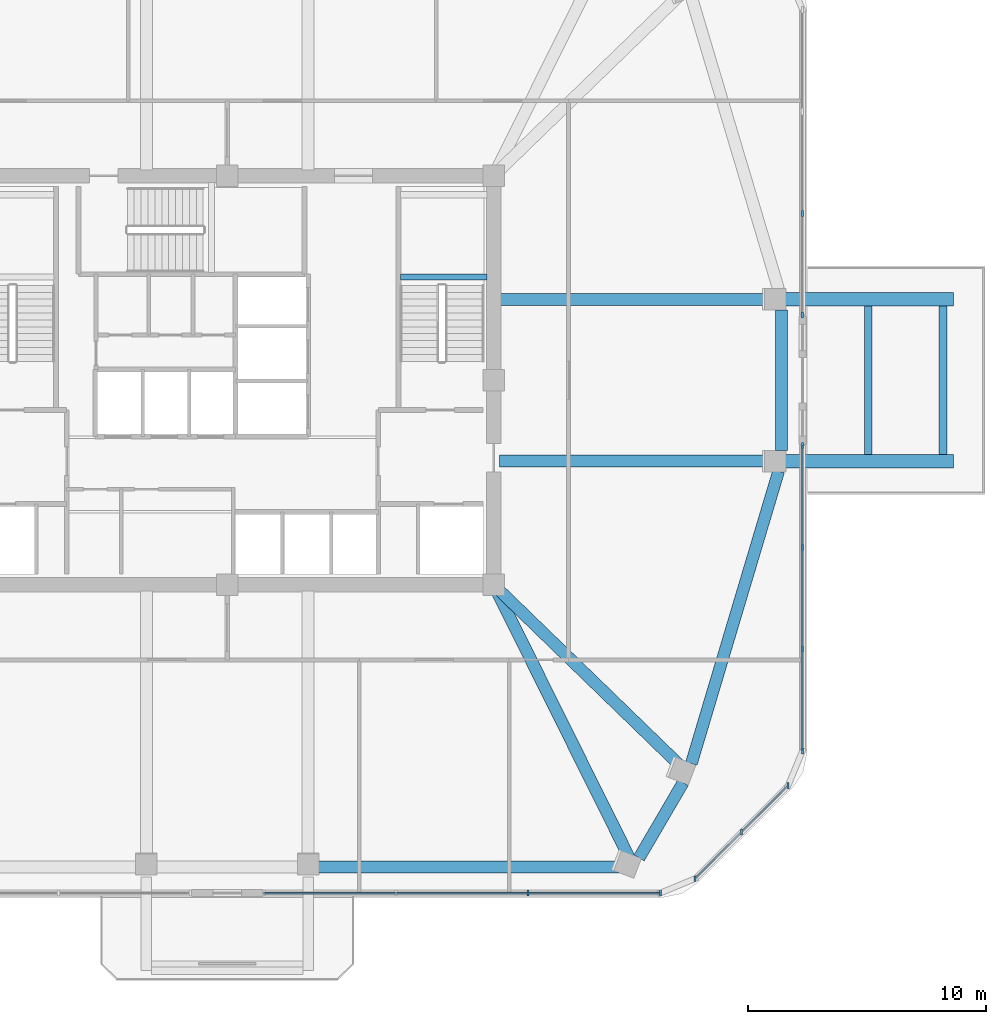
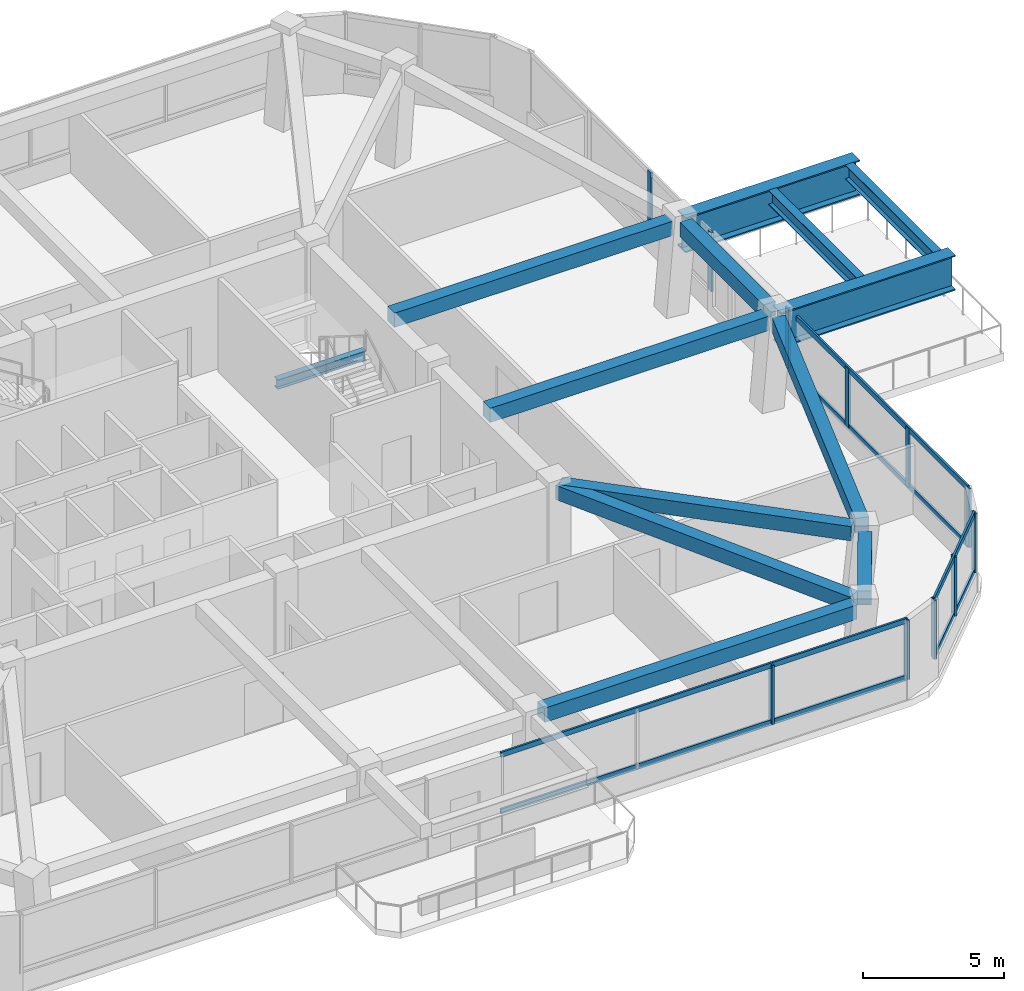
# One storey, part 3 of 13: 17 members, 13 beams, 4 elements without a shape of their own.
"""IFC4 building model written with IfcOpenShell, lengths in metres."""

from ifc_helpers import new_model, si_unit, derived_unit, direction, frame, origin, origin_2d, place, context, subcontext, project, spatial, rectangle, i_section, extrude, material, material_profile, profile_set, type_object, element, aggregate, save


model = new_model("IFC4")

# Units and contexts
model_context = context("Model", 3, precision=1e-05, world=origin(), true_north=direction((0.0, 1.0)))
body_context = subcontext(model_context, "Body", "Model", "MODEL_VIEW")
ifc_project = project(units=[si_unit("LENGTHUNIT", "METRE"), si_unit("AREAUNIT", "SQUARE_METRE"), si_unit("VOLUMEUNIT", "CUBIC_METRE"), si_unit("PLANEANGLEUNIT", "RADIAN"), si_unit("MASSUNIT", "GRAM", prefix="KILO"), derived_unit("THERMALTRANSMITTANCEUNIT", [(si_unit("POWERUNIT", "WATT"), 1), (si_unit("LENGTHUNIT", "METRE"), -2), (si_unit("THERMODYNAMICTEMPERATUREUNIT", "KELVIN"), -1)])], contexts=[model_context])

# Site, building, storey
site_placement = place(None, origin())
site = spatial("IfcSite", under=ifc_project, at=site_placement, CompositionType="ELEMENT")
building_placement = place(site_placement, origin())
building = spatial("IfcBuilding", under=site, at=building_placement, Name="Koralith Skygarden Medical Center", CompositionType="ELEMENT")
storey_placement = place(building_placement, frame((0.0, 0.0, 188.4599609375)))
storey = spatial("IfcBuildingStorey", under=building, at=storey_placement, Name="L48", CompositionType="ELEMENT", Elevation=188.4599609375)

# Curtain wall, members
ifc_material_1 = material(Name="Clear Laminated Glass", Category="glass")
curtain_wall_type = type_object("IfcCurtainWallType", Name="CW-7 Sky-Garden & Pool Conservatory Wall", PredefinedType="NOTDEFINED", material=ifc_material_1)
curtain_wall_1_placement = place(storey_placement, origin())
curtain_wall_1 = element("IfcCurtainWall", 1, at=curtain_wall_1_placement, inside=storey, type_object=curtain_wall_type, Name="Curtain Wall CW-L48-S-R", PredefinedType="NOTDEFINED")
ifc_material_2 = material(Name="Aluminium 6063-T6", Category="aluminium")
ifc_material_profile_1 = material_profile(ifc_material_2, rectangle(XDim=0.0859375, YDim=0.25, at=origin_2d()), Name="MUL86X250")
ifc_profile_set_1 = profile_set([ifc_material_profile_1], Name="Aluminium 6063-T6")
member_type_1 = type_object("IfcMemberType", Name="CW-7 Extruded Mullion 86x250", PredefinedType="MULLION", material=ifc_profile_set_1)
member_1_placement = place(storey_placement, frame((49.64990234375, 4.344970703125, 0.85009765625), z_axis=(0.0, 0.0, 1.0), x_axis=(1.0, 0.0, 0.0)))
member_1 = element("IfcMember", 2, at=member_1_placement, type_object=member_type_1, Name="CW-L48-S-R Mullion 3", PredefinedType="MULLION", context=body_context, shape_type="SweptSolid", body=[
    extrude(rectangle(XDim=0.0859375, YDim=0.25, at=origin_2d()), origin(), (0.0, 0.0, 1.0), 2.56005859375),
])
member_2_placement = place(storey_placement, frame((55.205078125, 4.344970703125, 0.85009765625), z_axis=(0.0, 0.0, 1.0), x_axis=(1.0, 0.0, 0.0)))
member_2 = element("IfcMember", 3, at=member_2_placement, type_object=member_type_1, Name="CW-L48-S-R Mullion 4", PredefinedType="MULLION", context=body_context, shape_type="SweptSolid", body=[
    extrude(rectangle(XDim=0.0859375, YDim=0.25, at=origin_2d()), origin(), (0.0, 0.0, 1.0), 2.56005859375),
])

curtain_wall_2_placement = place(storey_placement, origin())
curtain_wall_2 = element("IfcCurtainWall", 4, at=curtain_wall_2_placement, inside=storey, type_object=curtain_wall_type, Name="Curtain Wall CW-L48-SE", PredefinedType="NOTDEFINED")
member_3_placement = place(storey_placement, frame((56.656005859375, 4.946044921875, 0.85009765625), z_axis=(0.0, 0.0, 1.0), x_axis=(1.0, 0.0, 0.0)))
member_3 = element("IfcMember", 5, at=member_3_placement, type_object=member_type_1, Name="CW-L48-SE Mullion 1", PredefinedType="MULLION", context=body_context, shape_type="SweptSolid", body=[
    extrude(rectangle(XDim=0.0859375, YDim=0.25, at=origin_2d()), origin(), (0.0, 0.0, 1.0), 2.56005859375),
])
member_4_placement = place(storey_placement, frame((58.616943359375, 6.906982421875, 0.85009765625), z_axis=(0.0, 0.0, 1.0), x_axis=(1.0, 0.0, 0.0)))
member_4 = element("IfcMember", 6, at=member_4_placement, type_object=member_type_1, Name="CW-L48-SE Mullion 2", PredefinedType="MULLION", context=body_context, shape_type="SweptSolid", body=[
    extrude(rectangle(XDim=0.0859375, YDim=0.25, at=origin_2d()), origin(), (0.0, 0.0, 1.0), 2.56005859375),
])
member_5_placement = place(storey_placement, frame((60.5791015625, 8.868896484375, 0.85009765625), z_axis=(0.0, 0.0, 1.0), x_axis=(1.0, 0.0, 0.0)))
member_5 = element("IfcMember", 7, at=member_5_placement, type_object=member_type_1, Name="CW-L48-SE Mullion 3", PredefinedType="MULLION", context=body_context, shape_type="SweptSolid", body=[
    extrude(rectangle(XDim=0.0859375, YDim=0.25, at=origin_2d()), origin(), (0.0, 0.0, 1.0), 2.56005859375),
])

curtain_wall_3_placement = place(storey_placement, origin())
curtain_wall_3 = element("IfcCurtainWall", 8, at=curtain_wall_3_placement, inside=storey, type_object=curtain_wall_type, Name="Curtain Wall CW-L48-E-L", PredefinedType="NOTDEFINED")
member_6_placement = place(storey_placement, frame((61.179931640625, 10.320068359375, 0.85009765625), z_axis=(0.0, 0.0, 1.0), x_axis=(1.0, 0.0, 0.0)))
member_6 = element("IfcMember", 9, at=member_6_placement, type_object=member_type_1, Name="CW-L48-E-L Mullion 1", PredefinedType="MULLION", context=body_context, shape_type="SweptSolid", body=[
    extrude(rectangle(XDim=0.0859375, YDim=0.25, at=origin_2d()), origin(), (0.0, 0.0, 1.0), 2.56005859375),
])
member_7_placement = place(storey_placement, frame((61.179931640625, 14.60009765625, 0.85009765625), z_axis=(0.0, 0.0, 1.0), x_axis=(1.0, 0.0, 0.0)))
member_7 = element("IfcMember", 10, at=member_7_placement, type_object=member_type_1, Name="CW-L48-E-L Mullion 2", PredefinedType="MULLION", context=body_context, shape_type="SweptSolid", body=[
    extrude(rectangle(XDim=0.0859375, YDim=0.25, at=origin_2d()), origin(), (0.0, 0.0, 1.0), 2.56005859375),
])
member_8_placement = place(storey_placement, frame((61.179931640625, 18.8798828125, 0.85009765625), z_axis=(0.0, 0.0, 1.0), x_axis=(1.0, 0.0, 0.0)))
member_8 = element("IfcMember", 11, at=member_8_placement, type_object=member_type_1, Name="CW-L48-E-L Mullion 3", PredefinedType="MULLION", context=body_context, shape_type="SweptSolid", body=[
    extrude(rectangle(XDim=0.0859375, YDim=0.25, at=origin_2d()), origin(), (0.0, 0.0, 1.0), 2.56005859375),
])
member_9_placement = place(storey_placement, frame((61.179931640625, 23.159912109375, 0.85009765625), z_axis=(0.0, 0.0, 1.0), x_axis=(1.0, 0.0, 0.0)))
member_9 = element("IfcMember", 12, at=member_9_placement, type_object=member_type_1, Name="CW-L48-E-L Mullion 4", PredefinedType="MULLION", context=body_context, shape_type="SweptSolid", body=[
    extrude(rectangle(XDim=0.0859375, YDim=0.25, at=origin_2d()), origin(), (0.0, 0.0, 1.0), 2.56005859375),
])

curtain_wall_4_placement = place(storey_placement, origin())
curtain_wall_4 = element("IfcCurtainWall", 13, at=curtain_wall_4_placement, inside=storey, type_object=curtain_wall_type, Name="Curtain Wall CW-L48-E-R", PredefinedType="NOTDEFINED")
member_10_placement = place(storey_placement, frame((61.179931640625, 28.639892578125, 0.85009765625), z_axis=(0.0, 0.0, 1.0), x_axis=(1.0, 0.0, 0.0)))
member_10 = element("IfcMember", 14, at=member_10_placement, type_object=member_type_1, Name="CW-L48-E-R Mullion 1", PredefinedType="MULLION", context=body_context, shape_type="SweptSolid", body=[
    extrude(rectangle(XDim=0.0859375, YDim=0.25, at=origin_2d()), origin(), (0.0, 0.0, 1.0), 2.56005859375),
])
member_11_placement = place(storey_placement, frame((61.179931640625, 32.919921875, 0.85009765625), z_axis=(0.0, 0.0, 1.0), x_axis=(1.0, 0.0, 0.0)))
member_11 = element("IfcMember", 15, at=member_11_placement, type_object=member_type_1, Name="CW-L48-E-R Mullion 2", PredefinedType="MULLION", context=body_context, shape_type="SweptSolid", body=[
    extrude(rectangle(XDim=0.0859375, YDim=0.25, at=origin_2d()), origin(), (0.0, 0.0, 1.0), 2.56005859375),
])
aggregate(curtain_wall_4, [member_10, member_11])

# Member
ifc_material_profile_2 = material_profile(ifc_material_2, rectangle(XDim=0.0810546875, YDim=0.22509765625, at=origin_2d()), Name="TRN81X225")
ifc_profile_set_2 = profile_set([ifc_material_profile_2], Name="Aluminium 6063-T6")
member_type_2 = type_object("IfcMemberType", Name="CW-7 Thermal Transom 81x225", PredefinedType="USERDEFINED", material=ifc_profile_set_2)
member_12_placement = place(storey_placement, frame((38.5400390625, 4.344970703125, 0.900146484375), z_axis=(1.0, 0.0, 0.0), x_axis=(0.0, 1.0, 0.0)))
member_12 = element("IfcMember", 16, at=member_12_placement, type_object=member_type_2, Name="CW-L48-S-R Transom 1", ObjectType="TRANSOM", PredefinedType="USERDEFINED", context=body_context, shape_type="SweptSolid", body=[
    extrude(rectangle(XDim=0.0810546875, YDim=0.22509765625, at=origin_2d()), origin(), (0.0, 0.0, 1.0), 16.6650390625),
])

member_13_placement = place(storey_placement, frame((38.5400390625, 4.344970703125, 3.360107421875), z_axis=(1.0, 0.0, 0.0), x_axis=(0.0, 1.0, 0.0)))
member_13 = element("IfcMember", 17, at=member_13_placement, type_object=member_type_2, Name="CW-L48-S-R Transom 2", ObjectType="TRANSOM", PredefinedType="USERDEFINED", context=body_context, shape_type="SweptSolid", body=[
    extrude(rectangle(XDim=0.0810546875, YDim=0.22509765625, at=origin_2d()), origin(), (0.0, 0.0, 1.0), 16.6650390625),
])

aggregate(curtain_wall_1, [member_1, member_2, member_12, member_13])

member_14_placement = place(storey_placement, frame((56.656005859375, 4.946044921875, 0.900146484375), z_axis=(0.707128783731, 0.707084777957, 0.0), x_axis=(-0.707084777957, 0.707128783731, 0.0)))
member_14 = element("IfcMember", 18, at=member_14_placement, type_object=member_type_2, Name="CW-L48-SE Transom 1", ObjectType="TRANSOM", PredefinedType="USERDEFINED", context=body_context, shape_type="SweptSolid", body=[
    extrude(rectangle(XDim=0.0810546875, YDim=0.22509765625, at=origin_2d()), origin(), (0.0, 0.0, 1.0), 5.5478515625),
])

member_15_placement = place(storey_placement, frame((56.656005859375, 4.946044921875, 3.360107421875), z_axis=(0.707128783731, 0.707084777957, 0.0), x_axis=(-0.707084777957, 0.707128783731, 0.0)))
member_15 = element("IfcMember", 19, at=member_15_placement, type_object=member_type_2, Name="CW-L48-SE Transom 2", ObjectType="TRANSOM", PredefinedType="USERDEFINED", context=body_context, shape_type="SweptSolid", body=[
    extrude(rectangle(XDim=0.0810546875, YDim=0.22509765625, at=origin_2d()), origin(), (0.0, 0.0, 1.0), 5.5478515625),
])

aggregate(curtain_wall_2, [member_3, member_4, member_5, member_14, member_15])

member_16_placement = place(storey_placement, frame((61.179931640625, 10.320068359375, 0.900146484375), z_axis=(0.0, 1.0, 0.0), x_axis=(-1.0, 0.0, 0.0)))
member_16 = element("IfcMember", 20, at=member_16_placement, type_object=member_type_2, Name="CW-L48-E-L Transom 1", ObjectType="TRANSOM", PredefinedType="USERDEFINED", context=body_context, shape_type="SweptSolid", body=[
    extrude(rectangle(XDim=0.0810546875, YDim=0.22509765625, at=origin_2d()), origin(), (0.0, 0.0, 1.0), 12.83984375),
])

member_17_placement = place(storey_placement, frame((61.179931640625, 10.320068359375, 3.360107421875), z_axis=(0.0, 1.0, 0.0), x_axis=(-1.0, 0.0, 0.0)))
member_17 = element("IfcMember", 21, at=member_17_placement, type_object=member_type_2, Name="CW-L48-E-L Transom 2", ObjectType="TRANSOM", PredefinedType="USERDEFINED", context=body_context, shape_type="SweptSolid", body=[
    extrude(rectangle(XDim=0.0810546875, YDim=0.22509765625, at=origin_2d()), origin(), (0.0, 0.0, 1.0), 12.83984375),
])

aggregate(curtain_wall_3, [member_6, member_7, member_8, member_9, member_16, member_17])

# Beams
ifc_material_3 = material(Name="Steel ASTM A992 Grade 50", Category="steel")
ifc_material_profile_3 = material_profile(ifc_material_3, i_section(OverallWidth=0.56005859375, OverallDepth=1.52001953125, WebThickness=0.030029296875, FlangeThickness=0.054931640625, at=origin_2d()), Name="BG1520X560X55X30")
ifc_profile_set_3 = profile_set([ifc_material_profile_3], Name="Steel ASTM A992 Grade 50")
beam_type_1 = type_object("IfcBeamType", Name="Cantilever Sky-Pool Girder BG1520", PredefinedType="BEAM", material=ifc_profile_set_3)
for number, where, z_axis, x_axis, name in (
    (22, (60.37109375, 22.5, 3.260009765625), (1.0, 0.0, 0.0), (0.0, 1.0, 0.0), "L49 POOLRF Primary Cantilever Girder 1"),
    (23, (60.37109375, 29.300048828125, 3.260009765625), (1.0, 0.0, 0.0), (0.0, 1.0, 0.0), "L49 POOLRF Primary Cantilever Girder 2"),
):
    element("IfcBeam", number, at=place(storey_placement, frame(where, z_axis=z_axis, x_axis=x_axis)), inside=storey, type_object=beam_type_1, Name=name, PredefinedType="BEAM", context=body_context, shape_type="SweptSolid", body=[
        extrude(i_section(OverallWidth=0.56005859375, OverallDepth=1.52001953125, WebThickness=0.030029296875, FlangeThickness=0.054931640625, at=origin_2d()), origin(), (0.0, 0.0, 1.0), 7.14990234375),
    ])
ifc_material_profile_4 = material_profile(ifc_material_3, i_section(OverallWidth=0.326904296875, OverallDepth=0.6220703125, WebThickness=0.015380859375, FlangeThickness=0.0244140625, at=origin_2d()), Name="W24X131")
ifc_profile_set_4 = profile_set([ifc_material_profile_4], Name="Steel ASTM A992 Grade 50")
beam_type_2 = type_object("IfcBeamType", Name="Cantilever Tie Beam W24X131", PredefinedType="BEAM", material=ifc_profile_set_4)
for number, where, z_axis, x_axis, name in (
    (24, (63.946044921875, 22.77001953125, 3.708984375), (0.0, 1.0, 0.0), (-1.0, 0.0, 0.0), "L49 POOLRF Cantilever Tie Beam 1"),
    (25, (67.092041015625, 22.77001953125, 3.708984375), (0.0, 1.0, 0.0), (-1.0, 0.0, 0.0), "L49 POOLRF Cantilever Tie Beam 2"),
):
    element("IfcBeam", number, at=place(storey_placement, frame(where, z_axis=z_axis, x_axis=x_axis)), inside=storey, type_object=beam_type_2, Name=name, PredefinedType="BEAM", context=body_context, shape_type="SweptSolid", body=[
        extrude(i_section(OverallWidth=0.326904296875, OverallDepth=0.6220703125, WebThickness=0.015380859375, FlangeThickness=0.0244140625, at=origin_2d()), origin(), (0.0, 0.0, 1.0), 6.260009765625),
    ])
ifc_material_profile_5 = material_profile(ifc_material_3, i_section(OverallWidth=0.260009765625, OverallDepth=0.4150390625, WebThickness=0.010009765625, FlangeThickness=0.016845703125, at=origin_2d()), Name="W16X67")
ifc_profile_set_5 = profile_set([ifc_material_profile_5], Name="Steel ASTM A992 Grade 50")
beam_type_3 = type_object("IfcBeamType", Name="Clinical Floor Joist W16X67", PredefinedType="JOIST", material=ifc_profile_set_5)
beam_1_placement = place(storey_placement, frame((44.280029296875, 30.239990234375, 1.7529296875), z_axis=(1.0, 0.0, 0.0), x_axis=(0.0, 1.0, 0.0)))
element("IfcBeam", 26, at=beam_1_placement, inside=storey, type_object=beam_type_3, Name="L48 Stair ST2 Half-Landing Support Beam 1A", PredefinedType="JOIST", context=body_context, shape_type="SweptSolid", body=[
    extrude(i_section(OverallWidth=0.260009765625, OverallDepth=0.4150390625, WebThickness=0.010009765625, FlangeThickness=0.016845703125, at=origin_2d()), origin(), (0.0, 0.0, 1.0), 3.639892578125),
])
ifc_material_4 = material(Name="Concrete C45/55", Category="concrete")
ifc_material_profile_6 = material_profile(ifc_material_4, rectangle(XDim=0.5, YDim=0.6201171875, at=origin_2d()), Name="RCB500X620")
ifc_profile_set_6 = profile_set([ifc_material_profile_6], Name="Concrete C45/55")
beam_type_4 = type_object("IfcBeamType", Name="Upper Radial Collector Beam RCB500X620", PredefinedType="BEAM", material=ifc_profile_set_6)
beam_2_placement = place(storey_placement, frame((48.31103515625, 17.075927734375, 3.72998046875), z_axis=(0.445079925524, -0.895490848583, 0.0), x_axis=(0.895490848583, 0.445079925524, 0.0)))
element("IfcBeam", 27, at=beam_2_placement, inside=storey, type_object=beam_type_4, Name="L48 Radial Collector Beam RB-06", PredefinedType="BEAM", context=body_context, shape_type="SweptSolid", body=[
    extrude(rectangle(XDim=0.5, YDim=0.6201171875, at=origin_2d()), origin(), (0.0, 0.0, 1.0), 12.54833984375),
])
beam_3_placement = place(storey_placement, frame((48.37890625, 17.1259765625, 3.72998046875), z_axis=(0.717954600656, -0.696089930538, 0.0), x_axis=(0.696089930538, 0.717954600656, 0.0)))
element("IfcBeam", 28, at=beam_3_placement, inside=storey, type_object=beam_type_4, Name="L48 Radial Collector Beam RB-07", PredefinedType="BEAM", context=body_context, shape_type="SweptSolid", body=[
    extrude(rectangle(XDim=0.5, YDim=0.6201171875, at=origin_2d()), origin(), (0.0, 0.0, 1.0), 10.708251953125),
])
for number, where, z_axis, x_axis, name in (
    (29, (48.449951171875, 22.5, 3.72998046875), (1.0, 0.0, 0.0), (0.0, 1.0, 0.0), "L48 Radial Collector Beam RB-08"),
    (30, (48.449951171875, 29.300048828125, 3.72998046875), (1.0, 0.0, 0.0), (0.0, 1.0, 0.0), "L48 Radial Collector Beam RB-09"),
):
    element("IfcBeam", number, at=place(storey_placement, frame(where, z_axis=z_axis, x_axis=x_axis)), inside=storey, type_object=beam_type_4, Name=name, PredefinedType="BEAM", context=body_context, shape_type="SweptSolid", body=[
        extrude(rectangle(XDim=0.5, YDim=0.6201171875, at=origin_2d()), origin(), (0.0, 0.0, 1.0), 11.4130859375),
    ])
ifc_material_profile_7 = material_profile(ifc_material_4, rectangle(XDim=0.5, YDim=0.6201171875, at=origin_2d()), Name="RCB500X620")
ifc_profile_set_7 = profile_set([ifc_material_profile_7], Name="Concrete C45/55")
beam_type_5 = type_object("IfcBeamType", Name="Zone 4-5 Spandrel Beam RCB500X620", PredefinedType="SPANDREL", material=ifc_profile_set_7)
beam_4_placement = place(storey_placement, frame((40.840087890625, 5.445068359375, 3.72998046875), z_axis=(1.0, 0.0, 0.0), x_axis=(0.0, 1.0, 0.0)))
element("IfcBeam", 31, at=beam_4_placement, inside=storey, type_object=beam_type_5, Name="L48 Perimeter Spandrel Beam SP-05", PredefinedType="SPANDREL", context=body_context, shape_type="SweptSolid", body=[
    extrude(rectangle(XDim=0.5, YDim=0.6201171875, at=origin_2d()), origin(), (0.0, 0.0, 1.0), 12.81201171875),
])
beam_5_placement = place(storey_placement, frame((54.31396484375, 5.824951171875, 3.72998046875), z_axis=(0.504467955678, 0.863430415085, 0.0), x_axis=(-0.863430415085, 0.504467955678, 0.0)))
element("IfcBeam", 32, at=beam_5_placement, inside=storey, type_object=beam_type_5, Name="L48 Perimeter Spandrel Beam SP-06", PredefinedType="SPANDREL", context=body_context, shape_type="SweptSolid", body=[
    extrude(rectangle(XDim=0.5, YDim=0.6201171875, at=origin_2d()), origin(), (0.0, 0.0, 1.0), 3.6611328125),
])
beam_6_placement = place(storey_placement, frame((56.509033203125, 9.7880859375, 3.72998046875), z_axis=(0.285990656755, 0.958232406177, 0.0), x_axis=(-0.958232406177, 0.285990656755, 0.0)))
element("IfcBeam", 33, at=beam_6_placement, inside=storey, type_object=beam_type_5, Name="L48 Perimeter Spandrel Beam SP-07", PredefinedType="SPANDREL", context=body_context, shape_type="SweptSolid", body=[
    extrude(rectangle(XDim=0.5, YDim=0.6201171875, at=origin_2d()), origin(), (0.0, 0.0, 1.0), 12.825439453125),
])
beam_7_placement = place(storey_placement, frame((60.302978515625, 22.93994140625, 3.72998046875), z_axis=(0.0, 1.0, 0.0), x_axis=(-1.0, 0.0, 0.0)))
element("IfcBeam", 34, at=beam_7_placement, inside=storey, type_object=beam_type_5, Name="L48 Perimeter Spandrel Beam SP-08", PredefinedType="SPANDREL", context=body_context, shape_type="SweptSolid", body=[
    extrude(rectangle(XDim=0.5, YDim=0.6201171875, at=origin_2d()), origin(), (0.0, 0.0, 1.0), 5.920166015625),
])

save(model, "model.ifc")
